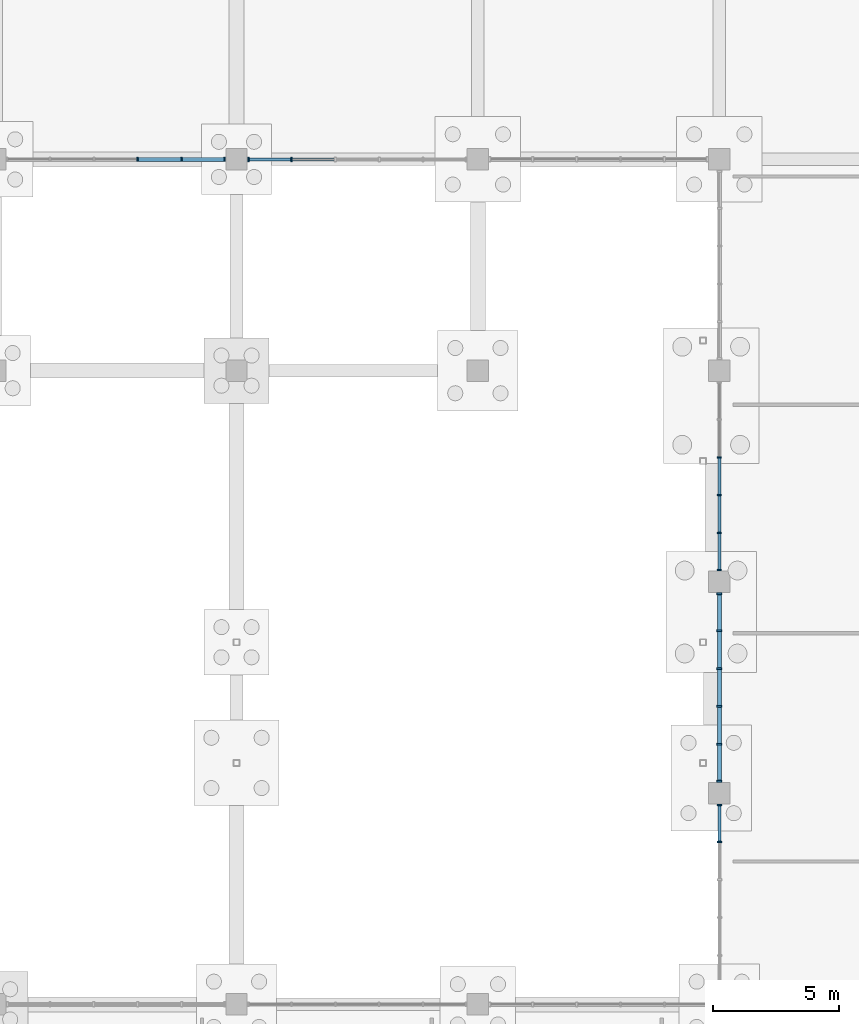
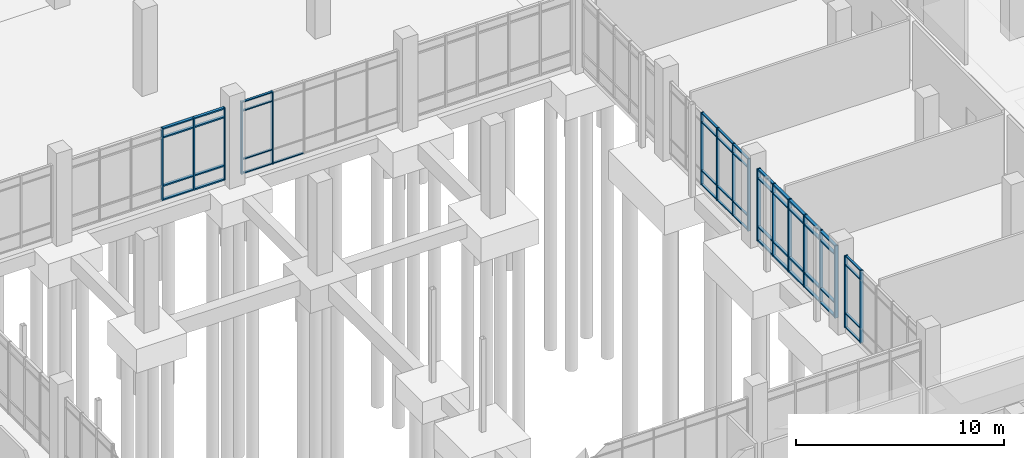
# One storey, part 54 of 136: 66 members, 5 elements without a shape of their own.
"""IFC4 building model written with IfcOpenShell, lengths in metres."""

from ifc_helpers import new_model, si_unit, direction, frame, origin, origin_2d, place, context, subcontext, project, spatial, rectangle, extrude, material, material_profile, profile_set, type_object, element, aggregate, save


model = new_model("IFC4")

# Units and contexts
model_context = context("Model", 3, precision=1e-05, world=origin(), true_north=direction((0.0, 1.0)))
body_context = subcontext(model_context, "Body", "Model", "MODEL_VIEW")
ifc_project = project(units=[si_unit("LENGTHUNIT", "METRE"), si_unit("AREAUNIT", "SQUARE_METRE"), si_unit("VOLUMEUNIT", "CUBIC_METRE"), si_unit("PLANEANGLEUNIT", "RADIAN"), si_unit("MASSUNIT", "GRAM", prefix="KILO")], contexts=[model_context])

# Site, building, storey
site_placement = place(None, origin())
site = spatial("IfcSite", under=ifc_project, at=site_placement, CompositionType="ELEMENT")
building_placement = place(site_placement, origin())
building = spatial("IfcBuilding", under=site, at=building_placement, Name="Oolite Switchyard Hospital", CompositionType="ELEMENT")
storey_placement = place(building_placement, origin())
storey = spatial("IfcBuildingStorey", under=building, at=storey_placement, Name="L00", CompositionType="ELEMENT", Elevation=0.0)

# Curtain wall, members
ifc_material_1 = material(Name="Thermally broken aluminum frame with laminated impact glazing", Category="aluminium")
curtain_wall_type_1 = type_object("IfcCurtainWallType", Name="CW-UNIT-96X51", PredefinedType="USERDEFINED", material=ifc_material_1)
curtain_wall_1_placement = place(storey_placement, origin())
curtain_wall_1 = element("IfcCurtainWall", 1, at=curtain_wall_1_placement, inside=storey, type_object=curtain_wall_type_1, Name="L00 Unitised Curtain Wall 21", ObjectType="UNITISED", PredefinedType="USERDEFINED")
ifc_material_2 = material(Name="Aluminium 6063-T6", Category="aluminium")
ifc_material_profile_1 = material_profile(ifc_material_2, rectangle(XDim=0.159912109375, YDim=0.06005859375, at=origin_2d()), Name="CWM60X160")
ifc_profile_set_1 = profile_set([ifc_material_profile_1], Name="Aluminium 6063-T6")
member_type_1 = type_object("IfcMemberType", Name="CW-MUL-180", PredefinedType="MULLION", material=ifc_profile_set_1)
member_1_placement = place(storey_placement, frame((162.72998046875, 58.800048828125, 0.0), z_axis=(0.0, 0.0, 1.0), x_axis=(0.0, -1.0, 0.0)))
member_1 = element("IfcMember", 2, at=member_1_placement, type_object=member_type_1, Name="CW-01 mullion 1", PredefinedType="MULLION", context=body_context, shape_type="SweptSolid", body=[
    extrude(rectangle(XDim=0.159912109375, YDim=0.06005859375, at=origin_2d()), origin(), (0.0, 0.0, 1.0), 4.239990234375),
])
member_2_placement = place(storey_placement, frame((161.01611328125, 58.800048828125, 0.0), z_axis=(0.0, 0.0, 1.0), x_axis=(0.0, -1.0, 0.0)))
member_2 = element("IfcMember", 3, at=member_2_placement, type_object=member_type_1, Name="CW-01 mullion 2", PredefinedType="MULLION", context=body_context, shape_type="SweptSolid", body=[
    extrude(rectangle(XDim=0.159912109375, YDim=0.06005859375, at=origin_2d()), origin(), (0.0, 0.0, 1.0), 4.239990234375),
])
member_3_placement = place(storey_placement, frame((159.27197265625, 58.800048828125, 0.0), z_axis=(0.0, 0.0, 1.0), x_axis=(0.0, -1.0, 0.0)))
member_3 = element("IfcMember", 4, at=member_3_placement, type_object=member_type_1, Name="CW-01 mullion 3", PredefinedType="MULLION", context=body_context, shape_type="SweptSolid", body=[
    extrude(rectangle(XDim=0.159912109375, YDim=0.06005859375, at=origin_2d()), origin(), (0.0, 0.0, 1.0), 4.239990234375),
])

curtain_wall_type_2 = type_object("IfcCurtainWallType", Name="CW-UNIT-84X51", PredefinedType="USERDEFINED", material=ifc_material_1)
curtain_wall_2_placement = place(storey_placement, origin())
curtain_wall_2 = element("IfcCurtainWall", 5, at=curtain_wall_2_placement, inside=storey, type_object=curtain_wall_type_2, Name="L00 Unitised Curtain Wall 84", ObjectType="UNITISED", PredefinedType="USERDEFINED")
member_4_placement = place(storey_placement, frame((182.39990234375, 42.469970703125, 0.0), z_axis=(0.0, 0.0, 1.0), x_axis=(-1.0, 0.0, 0.0)))
member_4 = element("IfcMember", 6, at=member_4_placement, type_object=member_type_1, Name="CW-06 mullion 1", PredefinedType="MULLION", context=body_context, shape_type="SweptSolid", body=[
    extrude(rectangle(XDim=0.159912109375, YDim=0.06005859375, at=origin_2d()), origin(), (0.0, 0.0, 1.0), 4.239990234375),
])
member_5_placement = place(storey_placement, frame((182.39990234375, 43.944091796875, 0.0), z_axis=(0.0, 0.0, 1.0), x_axis=(-1.0, 0.0, 0.0)))
member_5 = element("IfcMember", 7, at=member_5_placement, type_object=member_type_1, Name="CW-06 mullion 2", PredefinedType="MULLION", context=body_context, shape_type="SweptSolid", body=[
    extrude(rectangle(XDim=0.159912109375, YDim=0.06005859375, at=origin_2d()), origin(), (0.0, 0.0, 1.0), 4.239990234375),
])
member_6_placement = place(storey_placement, frame((182.39990234375, 45.447998046875, 0.0), z_axis=(0.0, 0.0, 1.0), x_axis=(-1.0, 0.0, 0.0)))
member_6 = element("IfcMember", 8, at=member_6_placement, type_object=member_type_1, Name="CW-06 mullion 3", PredefinedType="MULLION", context=body_context, shape_type="SweptSolid", body=[
    extrude(rectangle(XDim=0.159912109375, YDim=0.06005859375, at=origin_2d()), origin(), (0.0, 0.0, 1.0), 4.239990234375),
])
member_7_placement = place(storey_placement, frame((182.39990234375, 46.951904296875, 0.0), z_axis=(0.0, 0.0, 1.0), x_axis=(-1.0, 0.0, 0.0)))
member_7 = element("IfcMember", 9, at=member_7_placement, type_object=member_type_1, Name="CW-06 mullion 4", PredefinedType="MULLION", context=body_context, shape_type="SweptSolid", body=[
    extrude(rectangle(XDim=0.159912109375, YDim=0.06005859375, at=origin_2d()), origin(), (0.0, 0.0, 1.0), 4.239990234375),
])

curtain_wall_3_placement = place(storey_placement, origin())
curtain_wall_3 = element("IfcCurtainWall", 10, at=curtain_wall_3_placement, inside=storey, type_object=curtain_wall_type_1, Name="L00 Unitised Curtain Wall 22", ObjectType="UNITISED", PredefinedType="USERDEFINED")
ifc_material_profile_2 = material_profile(ifc_material_2, rectangle(XDim=0.179931640625, YDim=0.070068359375, at=origin_2d()), Name="CWM70X180")
ifc_profile_set_2 = profile_set([ifc_material_profile_2], Name="Aluminium 6063-T6")
member_type_2 = type_object("IfcMemberType", Name="CW-MUL-220", PredefinedType="MULLION", material=ifc_profile_set_2)
member_8_placement = place(storey_placement, frame((165.384033203125, 58.800048828125, 0.0), z_axis=(0.0, 0.0, 1.0), x_axis=(0.0, -1.0, 0.0)))
member_8 = element("IfcMember", 11, at=member_8_placement, type_object=member_type_2, Name="CW-01 mullion 5", PredefinedType="MULLION", context=body_context, shape_type="SweptSolid", body=[
    extrude(rectangle(XDim=0.179931640625, YDim=0.070068359375, at=origin_2d()), origin(), (0.0, 0.0, 1.0), 4.239990234375),
])
member_9_placement = place(storey_placement, frame((163.675048828125, 58.800048828125, 0.0), z_axis=(0.0, 0.0, 1.0), x_axis=(0.0, -1.0, 0.0)))
member_9 = element("IfcMember", 12, at=member_9_placement, type_object=member_type_2, Name="CW-01 mullion 6", PredefinedType="MULLION", context=body_context, shape_type="SweptSolid", body=[
    extrude(rectangle(XDim=0.179931640625, YDim=0.070068359375, at=origin_2d()), origin(), (0.0, 0.0, 1.0), 4.239990234375),
])

curtain_wall_4_placement = place(storey_placement, origin())
curtain_wall_4 = element("IfcCurtainWall", 13, at=curtain_wall_4_placement, inside=storey, type_object=curtain_wall_type_2, Name="L00 Unitised Curtain Wall 82", ObjectType="UNITISED", PredefinedType="USERDEFINED")
member_10_placement = place(storey_placement, frame((182.39990234375, 31.656005859375, 0.0), z_axis=(0.0, 0.0, 1.0), x_axis=(-1.0, 0.0, 0.0)))
member_10 = element("IfcMember", 14, at=member_10_placement, type_object=member_type_2, Name="CW-06 mullion 5", PredefinedType="MULLION", context=body_context, shape_type="SweptSolid", body=[
    extrude(rectangle(XDim=0.179931640625, YDim=0.070068359375, at=origin_2d()), origin(), (0.0, 0.0, 1.0), 4.239990234375),
])
member_11_placement = place(storey_placement, frame((182.39990234375, 33.125, 0.0), z_axis=(0.0, 0.0, 1.0), x_axis=(-1.0, 0.0, 0.0)))
member_11 = element("IfcMember", 15, at=member_11_placement, type_object=member_type_2, Name="CW-06 mullion 6", PredefinedType="MULLION", context=body_context, shape_type="SweptSolid", body=[
    extrude(rectangle(XDim=0.179931640625, YDim=0.070068359375, at=origin_2d()), origin(), (0.0, 0.0, 1.0), 4.239990234375),
])

curtain_wall_5_placement = place(storey_placement, origin())
curtain_wall_5 = element("IfcCurtainWall", 16, at=curtain_wall_5_placement, inside=storey, type_object=curtain_wall_type_2, Name="L00 Unitised Curtain Wall 83", ObjectType="UNITISED", PredefinedType="USERDEFINED")
ifc_material_profile_3 = material_profile(ifc_material_2, rectangle(XDim=0.199951171875, YDim=0.074951171875, at=origin_2d()), Name="CWM75X200")
ifc_profile_set_3 = profile_set([ifc_material_profile_3], Name="Aluminium 6063-T6")
member_type_3 = type_object("IfcMemberType", Name="CW-MUL-260", PredefinedType="MULLION", material=ifc_profile_set_3)
member_12_placement = place(storey_placement, frame((182.39990234375, 34.077392578125, 0.0), z_axis=(0.0, 0.0, 1.0), x_axis=(-1.0, 0.0, 0.0)))
member_12 = element("IfcMember", 17, at=member_12_placement, type_object=member_type_3, Name="CW-06 mullion 1", PredefinedType="MULLION", context=body_context, shape_type="SweptSolid", body=[
    extrude(rectangle(XDim=0.199951171875, YDim=0.074951171875, at=origin_2d()), origin(), (0.0, 0.0, 1.0), 4.239990234375),
])
member_13_placement = place(storey_placement, frame((182.39990234375, 35.5439453125, 0.0), z_axis=(0.0, 0.0, 1.0), x_axis=(-1.0, 0.0, 0.0)))
member_13 = element("IfcMember", 18, at=member_13_placement, type_object=member_type_3, Name="CW-06 mullion 2", PredefinedType="MULLION", context=body_context, shape_type="SweptSolid", body=[
    extrude(rectangle(XDim=0.199951171875, YDim=0.074951171875, at=origin_2d()), origin(), (0.0, 0.0, 1.0), 4.239990234375),
])
member_14_placement = place(storey_placement, frame((182.39990234375, 37.048095703125, 0.0), z_axis=(0.0, 0.0, 1.0), x_axis=(-1.0, 0.0, 0.0)))
member_14 = element("IfcMember", 19, at=member_14_placement, type_object=member_type_3, Name="CW-06 mullion 3", PredefinedType="MULLION", context=body_context, shape_type="SweptSolid", body=[
    extrude(rectangle(XDim=0.199951171875, YDim=0.074951171875, at=origin_2d()), origin(), (0.0, 0.0, 1.0), 4.239990234375),
])
member_15_placement = place(storey_placement, frame((182.39990234375, 38.552001953125, 0.0), z_axis=(0.0, 0.0, 1.0), x_axis=(-1.0, 0.0, 0.0)))
member_15 = element("IfcMember", 20, at=member_15_placement, type_object=member_type_3, Name="CW-06 mullion 4", PredefinedType="MULLION", context=body_context, shape_type="SweptSolid", body=[
    extrude(rectangle(XDim=0.199951171875, YDim=0.074951171875, at=origin_2d()), origin(), (0.0, 0.0, 1.0), 4.239990234375),
])
member_16_placement = place(storey_placement, frame((182.39990234375, 40.055908203125, 0.0), z_axis=(0.0, 0.0, 1.0), x_axis=(-1.0, 0.0, 0.0)))
member_16 = element("IfcMember", 21, at=member_16_placement, type_object=member_type_3, Name="CW-06 mullion 5", PredefinedType="MULLION", context=body_context, shape_type="SweptSolid", body=[
    extrude(rectangle(XDim=0.199951171875, YDim=0.074951171875, at=origin_2d()), origin(), (0.0, 0.0, 1.0), 4.239990234375),
])
member_17_placement = place(storey_placement, frame((182.39990234375, 41.5224609375, 0.0), z_axis=(0.0, 0.0, 1.0), x_axis=(-1.0, 0.0, 0.0)))
member_17 = element("IfcMember", 22, at=member_17_placement, type_object=member_type_3, Name="CW-06 mullion 6", PredefinedType="MULLION", context=body_context, shape_type="SweptSolid", body=[
    extrude(rectangle(XDim=0.199951171875, YDim=0.074951171875, at=origin_2d()), origin(), (0.0, 0.0, 1.0), 4.239990234375),
])

# Member
ifc_material_profile_4 = material_profile(ifc_material_2, rectangle(XDim=0.1201171875, YDim=0.06005859375, at=origin_2d()), Name="CWT60X120")
ifc_profile_set_4 = profile_set([ifc_material_profile_4], Name="Aluminium 6063-T6")
member_type_4 = type_object("IfcMemberType", Name="CW-TRN-150", PredefinedType="USERDEFINED", material=ifc_profile_set_4)
member_18_placement = place(storey_placement, frame((167.093017578125, 58.800048828125, 0.030029296875), z_axis=(-1.0, 0.0, 0.0), x_axis=(0.0, -1.0, 0.0)))
member_18 = element("IfcMember", 23, at=member_18_placement, type_object=member_type_4, Name="CW-01 transom 4.1", ObjectType="TRANSOM", PredefinedType="USERDEFINED", context=body_context, shape_type="SweptSolid", body=[
    extrude(rectangle(XDim=0.1201171875, YDim=0.06005859375, at=origin_2d()), origin(), (0.0, 0.0, 1.0), 1.674072265625),
])

member_19_placement = place(storey_placement, frame((165.34912109375, 58.800048828125, 0.030029296875), z_axis=(-1.0, 0.0, 0.0), x_axis=(0.0, -1.0, 0.0)))
member_19 = element("IfcMember", 24, at=member_19_placement, type_object=member_type_4, Name="CW-01 transom 5.1", ObjectType="TRANSOM", PredefinedType="USERDEFINED", context=body_context, shape_type="SweptSolid", body=[
    extrude(rectangle(XDim=0.1201171875, YDim=0.06005859375, at=origin_2d()), origin(), (0.0, 0.0, 1.0), 1.63916015625),
])

member_20_placement = place(storey_placement, frame((165.34912109375, 58.800048828125, 0.85009765625), z_axis=(-1.0, 0.0, 0.0), x_axis=(0.0, -1.0, 0.0)))
member_20 = element("IfcMember", 25, at=member_20_placement, type_object=member_type_4, Name="CW-01 transom 5.2", ObjectType="TRANSOM", PredefinedType="USERDEFINED", context=body_context, shape_type="SweptSolid", body=[
    extrude(rectangle(XDim=0.1201171875, YDim=0.06005859375, at=origin_2d()), origin(), (0.0, 0.0, 1.0), 1.63916015625),
])

member_21_placement = place(storey_placement, frame((165.34912109375, 58.800048828125, 3.68994140625), z_axis=(-1.0, 0.0, 0.0), x_axis=(0.0, -1.0, 0.0)))
member_21 = element("IfcMember", 26, at=member_21_placement, type_object=member_type_4, Name="CW-01 transom 5.3", ObjectType="TRANSOM", PredefinedType="USERDEFINED", context=body_context, shape_type="SweptSolid", body=[
    extrude(rectangle(XDim=0.1201171875, YDim=0.06005859375, at=origin_2d()), origin(), (0.0, 0.0, 1.0), 1.63916015625),
])

member_22_placement = place(storey_placement, frame((165.34912109375, 58.800048828125, 4.2099609375), z_axis=(-1.0, 0.0, 0.0), x_axis=(0.0, -1.0, 0.0)))
member_22 = element("IfcMember", 27, at=member_22_placement, type_object=member_type_4, Name="CW-01 transom 5.4", ObjectType="TRANSOM", PredefinedType="USERDEFINED", context=body_context, shape_type="SweptSolid", body=[
    extrude(rectangle(XDim=0.1201171875, YDim=0.06005859375, at=origin_2d()), origin(), (0.0, 0.0, 1.0), 1.63916015625),
])

aggregate(curtain_wall_3, [member_8, member_9, member_18, member_19, member_20, member_21, member_22])

member_23_placement = place(storey_placement, frame((182.39990234375, 31.69091796875, 0.030029296875), z_axis=(0.0, 1.0, 0.0), x_axis=(-1.0, 0.0, 0.0)))
member_23 = element("IfcMember", 28, at=member_23_placement, type_object=member_type_4, Name="CW-06 transom 5.1", ObjectType="TRANSOM", PredefinedType="USERDEFINED", context=body_context, shape_type="SweptSolid", body=[
    extrude(rectangle(XDim=0.1201171875, YDim=0.06005859375, at=origin_2d()), origin(), (0.0, 0.0, 1.0), 1.399169921875),
])

member_24_placement = place(storey_placement, frame((182.39990234375, 31.69091796875, 0.85009765625), z_axis=(0.0, 1.0, 0.0), x_axis=(-1.0, 0.0, 0.0)))
member_24 = element("IfcMember", 29, at=member_24_placement, type_object=member_type_4, Name="CW-06 transom 5.2", ObjectType="TRANSOM", PredefinedType="USERDEFINED", context=body_context, shape_type="SweptSolid", body=[
    extrude(rectangle(XDim=0.1201171875, YDim=0.06005859375, at=origin_2d()), origin(), (0.0, 0.0, 1.0), 1.399169921875),
])

member_25_placement = place(storey_placement, frame((182.39990234375, 31.69091796875, 3.68994140625), z_axis=(0.0, 1.0, 0.0), x_axis=(-1.0, 0.0, 0.0)))
member_25 = element("IfcMember", 30, at=member_25_placement, type_object=member_type_4, Name="CW-06 transom 5.3", ObjectType="TRANSOM", PredefinedType="USERDEFINED", context=body_context, shape_type="SweptSolid", body=[
    extrude(rectangle(XDim=0.1201171875, YDim=0.06005859375, at=origin_2d()), origin(), (0.0, 0.0, 1.0), 1.399169921875),
])

member_26_placement = place(storey_placement, frame((182.39990234375, 31.69091796875, 4.2099609375), z_axis=(0.0, 1.0, 0.0), x_axis=(-1.0, 0.0, 0.0)))
member_26 = element("IfcMember", 31, at=member_26_placement, type_object=member_type_4, Name="CW-06 transom 5.4", ObjectType="TRANSOM", PredefinedType="USERDEFINED", context=body_context, shape_type="SweptSolid", body=[
    extrude(rectangle(XDim=0.1201171875, YDim=0.06005859375, at=origin_2d()), origin(), (0.0, 0.0, 1.0), 1.399169921875),
])

aggregate(curtain_wall_4, [member_10, member_11, member_23, member_24, member_25, member_26])

member_27_placement = place(storey_placement, frame((182.39990234375, 42.5, 0.030029296875), z_axis=(0.0, 1.0, 0.0), x_axis=(-1.0, 0.0, 0.0)))
member_27 = element("IfcMember", 32, at=member_27_placement, type_object=member_type_4, Name="CW-06 transom 1.1", ObjectType="TRANSOM", PredefinedType="USERDEFINED", context=body_context, shape_type="SweptSolid", body=[
    extrude(rectangle(XDim=0.1201171875, YDim=0.06005859375, at=origin_2d()), origin(), (0.0, 0.0, 1.0), 1.4140625),
])

member_28_placement = place(storey_placement, frame((182.39990234375, 42.5, 0.85009765625), z_axis=(0.0, 1.0, 0.0), x_axis=(-1.0, 0.0, 0.0)))
member_28 = element("IfcMember", 33, at=member_28_placement, type_object=member_type_4, Name="CW-06 transom 1.2", ObjectType="TRANSOM", PredefinedType="USERDEFINED", context=body_context, shape_type="SweptSolid", body=[
    extrude(rectangle(XDim=0.1201171875, YDim=0.06005859375, at=origin_2d()), origin(), (0.0, 0.0, 1.0), 1.4140625),
])

member_29_placement = place(storey_placement, frame((182.39990234375, 42.5, 3.68994140625), z_axis=(0.0, 1.0, 0.0), x_axis=(-1.0, 0.0, 0.0)))
member_29 = element("IfcMember", 34, at=member_29_placement, type_object=member_type_4, Name="CW-06 transom 1.3", ObjectType="TRANSOM", PredefinedType="USERDEFINED", context=body_context, shape_type="SweptSolid", body=[
    extrude(rectangle(XDim=0.1201171875, YDim=0.06005859375, at=origin_2d()), origin(), (0.0, 0.0, 1.0), 1.4140625),
])

member_30_placement = place(storey_placement, frame((182.39990234375, 42.5, 4.2099609375), z_axis=(0.0, 1.0, 0.0), x_axis=(-1.0, 0.0, 0.0)))
member_30 = element("IfcMember", 35, at=member_30_placement, type_object=member_type_4, Name="CW-06 transom 1.4", ObjectType="TRANSOM", PredefinedType="USERDEFINED", context=body_context, shape_type="SweptSolid", body=[
    extrude(rectangle(XDim=0.1201171875, YDim=0.06005859375, at=origin_2d()), origin(), (0.0, 0.0, 1.0), 1.4140625),
])

member_31_placement = place(storey_placement, frame((182.39990234375, 43.97412109375, 0.030029296875), z_axis=(0.0, 1.0, 0.0), x_axis=(-1.0, 0.0, 0.0)))
member_31 = element("IfcMember", 36, at=member_31_placement, type_object=member_type_4, Name="CW-06 transom 2.1", ObjectType="TRANSOM", PredefinedType="USERDEFINED", context=body_context, shape_type="SweptSolid", body=[
    extrude(rectangle(XDim=0.1201171875, YDim=0.06005859375, at=origin_2d()), origin(), (0.0, 0.0, 1.0), 1.44384765625),
])

member_32_placement = place(storey_placement, frame((182.39990234375, 43.97412109375, 0.85009765625), z_axis=(0.0, 1.0, 0.0), x_axis=(-1.0, 0.0, 0.0)))
member_32 = element("IfcMember", 37, at=member_32_placement, type_object=member_type_4, Name="CW-06 transom 2.2", ObjectType="TRANSOM", PredefinedType="USERDEFINED", context=body_context, shape_type="SweptSolid", body=[
    extrude(rectangle(XDim=0.1201171875, YDim=0.06005859375, at=origin_2d()), origin(), (0.0, 0.0, 1.0), 1.44384765625),
])

member_33_placement = place(storey_placement, frame((182.39990234375, 43.97412109375, 3.68994140625), z_axis=(0.0, 1.0, 0.0), x_axis=(-1.0, 0.0, 0.0)))
member_33 = element("IfcMember", 38, at=member_33_placement, type_object=member_type_4, Name="CW-06 transom 2.3", ObjectType="TRANSOM", PredefinedType="USERDEFINED", context=body_context, shape_type="SweptSolid", body=[
    extrude(rectangle(XDim=0.1201171875, YDim=0.06005859375, at=origin_2d()), origin(), (0.0, 0.0, 1.0), 1.44384765625),
])

member_34_placement = place(storey_placement, frame((182.39990234375, 43.97412109375, 4.2099609375), z_axis=(0.0, 1.0, 0.0), x_axis=(-1.0, 0.0, 0.0)))
member_34 = element("IfcMember", 39, at=member_34_placement, type_object=member_type_4, Name="CW-06 transom 2.4", ObjectType="TRANSOM", PredefinedType="USERDEFINED", context=body_context, shape_type="SweptSolid", body=[
    extrude(rectangle(XDim=0.1201171875, YDim=0.06005859375, at=origin_2d()), origin(), (0.0, 0.0, 1.0), 1.44384765625),
])

member_35_placement = place(storey_placement, frame((182.39990234375, 45.47802734375, 0.030029296875), z_axis=(0.0, 1.0, 0.0), x_axis=(-1.0, 0.0, 0.0)))
member_35 = element("IfcMember", 40, at=member_35_placement, type_object=member_type_4, Name="CW-06 transom 3.1", ObjectType="TRANSOM", PredefinedType="USERDEFINED", context=body_context, shape_type="SweptSolid", body=[
    extrude(rectangle(XDim=0.1201171875, YDim=0.06005859375, at=origin_2d()), origin(), (0.0, 0.0, 1.0), 1.444091796875),
])

member_36_placement = place(storey_placement, frame((182.39990234375, 45.47802734375, 0.85009765625), z_axis=(0.0, 1.0, 0.0), x_axis=(-1.0, 0.0, 0.0)))
member_36 = element("IfcMember", 41, at=member_36_placement, type_object=member_type_4, Name="CW-06 transom 3.2", ObjectType="TRANSOM", PredefinedType="USERDEFINED", context=body_context, shape_type="SweptSolid", body=[
    extrude(rectangle(XDim=0.1201171875, YDim=0.06005859375, at=origin_2d()), origin(), (0.0, 0.0, 1.0), 1.444091796875),
])

member_37_placement = place(storey_placement, frame((182.39990234375, 45.47802734375, 3.68994140625), z_axis=(0.0, 1.0, 0.0), x_axis=(-1.0, 0.0, 0.0)))
member_37 = element("IfcMember", 42, at=member_37_placement, type_object=member_type_4, Name="CW-06 transom 3.3", ObjectType="TRANSOM", PredefinedType="USERDEFINED", context=body_context, shape_type="SweptSolid", body=[
    extrude(rectangle(XDim=0.1201171875, YDim=0.06005859375, at=origin_2d()), origin(), (0.0, 0.0, 1.0), 1.444091796875),
])

member_38_placement = place(storey_placement, frame((182.39990234375, 45.47802734375, 4.2099609375), z_axis=(0.0, 1.0, 0.0), x_axis=(-1.0, 0.0, 0.0)))
member_38 = element("IfcMember", 43, at=member_38_placement, type_object=member_type_4, Name="CW-06 transom 3.4", ObjectType="TRANSOM", PredefinedType="USERDEFINED", context=body_context, shape_type="SweptSolid", body=[
    extrude(rectangle(XDim=0.1201171875, YDim=0.06005859375, at=origin_2d()), origin(), (0.0, 0.0, 1.0), 1.444091796875),
])

aggregate(curtain_wall_2, [member_4, member_5, member_6, member_7, member_27, member_28, member_29, member_30, member_31, member_32, member_33, member_34, member_35, member_36, member_37, member_38])

ifc_material_profile_5 = material_profile(ifc_material_2, rectangle(XDim=0.159912109375, YDim=0.074951171875, at=origin_2d()), Name="CWT75X160")
ifc_profile_set_5 = profile_set([ifc_material_profile_5], Name="Aluminium 6063-T6")
member_type_5 = type_object("IfcMemberType", Name="CW-TRN-180", PredefinedType="USERDEFINED", material=ifc_profile_set_5)
member_39_placement = place(storey_placement, frame((162.699951171875, 58.800048828125, 0.03759765625), z_axis=(-1.0, 0.0, 0.0), x_axis=(0.0, -1.0, 0.0)))
member_39 = element("IfcMember", 44, at=member_39_placement, type_object=member_type_5, Name="CW-01 transom 1.1", ObjectType="TRANSOM", PredefinedType="USERDEFINED", context=body_context, shape_type="SweptSolid", body=[
    extrude(rectangle(XDim=0.159912109375, YDim=0.074951171875, at=origin_2d()), origin(), (0.0, 0.0, 1.0), 1.654052734375),
])

member_40_placement = place(storey_placement, frame((162.699951171875, 58.800048828125, 0.85009765625), z_axis=(-1.0, 0.0, 0.0), x_axis=(0.0, -1.0, 0.0)))
member_40 = element("IfcMember", 45, at=member_40_placement, type_object=member_type_5, Name="CW-01 transom 1.2", ObjectType="TRANSOM", PredefinedType="USERDEFINED", context=body_context, shape_type="SweptSolid", body=[
    extrude(rectangle(XDim=0.159912109375, YDim=0.074951171875, at=origin_2d()), origin(), (0.0, 0.0, 1.0), 1.654052734375),
])

member_41_placement = place(storey_placement, frame((162.699951171875, 58.800048828125, 3.68994140625), z_axis=(-1.0, 0.0, 0.0), x_axis=(0.0, -1.0, 0.0)))
member_41 = element("IfcMember", 46, at=member_41_placement, type_object=member_type_5, Name="CW-01 transom 1.3", ObjectType="TRANSOM", PredefinedType="USERDEFINED", context=body_context, shape_type="SweptSolid", body=[
    extrude(rectangle(XDim=0.159912109375, YDim=0.074951171875, at=origin_2d()), origin(), (0.0, 0.0, 1.0), 1.654052734375),
])

member_42_placement = place(storey_placement, frame((162.699951171875, 58.800048828125, 4.202392578125), z_axis=(-1.0, 0.0, 0.0), x_axis=(0.0, -1.0, 0.0)))
member_42 = element("IfcMember", 47, at=member_42_placement, type_object=member_type_5, Name="CW-01 transom 1.4", ObjectType="TRANSOM", PredefinedType="USERDEFINED", context=body_context, shape_type="SweptSolid", body=[
    extrude(rectangle(XDim=0.159912109375, YDim=0.074951171875, at=origin_2d()), origin(), (0.0, 0.0, 1.0), 1.654052734375),
])

member_43_placement = place(storey_placement, frame((160.986083984375, 58.800048828125, 0.03759765625), z_axis=(-1.0, 0.0, 0.0), x_axis=(0.0, -1.0, 0.0)))
member_43 = element("IfcMember", 48, at=member_43_placement, type_object=member_type_5, Name="CW-01 transom 2.1", ObjectType="TRANSOM", PredefinedType="USERDEFINED", context=body_context, shape_type="SweptSolid", body=[
    extrude(rectangle(XDim=0.159912109375, YDim=0.074951171875, at=origin_2d()), origin(), (0.0, 0.0, 1.0), 1.68408203125),
])

member_44_placement = place(storey_placement, frame((160.986083984375, 58.800048828125, 0.85009765625), z_axis=(-1.0, 0.0, 0.0), x_axis=(0.0, -1.0, 0.0)))
member_44 = element("IfcMember", 49, at=member_44_placement, type_object=member_type_5, Name="CW-01 transom 2.2", ObjectType="TRANSOM", PredefinedType="USERDEFINED", context=body_context, shape_type="SweptSolid", body=[
    extrude(rectangle(XDim=0.159912109375, YDim=0.074951171875, at=origin_2d()), origin(), (0.0, 0.0, 1.0), 1.68408203125),
])

member_45_placement = place(storey_placement, frame((160.986083984375, 58.800048828125, 3.68994140625), z_axis=(-1.0, 0.0, 0.0), x_axis=(0.0, -1.0, 0.0)))
member_45 = element("IfcMember", 50, at=member_45_placement, type_object=member_type_5, Name="CW-01 transom 2.3", ObjectType="TRANSOM", PredefinedType="USERDEFINED", context=body_context, shape_type="SweptSolid", body=[
    extrude(rectangle(XDim=0.159912109375, YDim=0.074951171875, at=origin_2d()), origin(), (0.0, 0.0, 1.0), 1.68408203125),
])

member_46_placement = place(storey_placement, frame((160.986083984375, 58.800048828125, 4.202392578125), z_axis=(-1.0, 0.0, 0.0), x_axis=(0.0, -1.0, 0.0)))
member_46 = element("IfcMember", 51, at=member_46_placement, type_object=member_type_5, Name="CW-01 transom 2.4", ObjectType="TRANSOM", PredefinedType="USERDEFINED", context=body_context, shape_type="SweptSolid", body=[
    extrude(rectangle(XDim=0.159912109375, YDim=0.074951171875, at=origin_2d()), origin(), (0.0, 0.0, 1.0), 1.68408203125),
])

aggregate(curtain_wall_1, [member_1, member_2, member_3, member_39, member_40, member_41, member_42, member_43, member_44, member_45, member_46])

member_47_placement = place(storey_placement, frame((182.39990234375, 34.114990234375, 0.03759765625), z_axis=(0.0, 1.0, 0.0), x_axis=(-1.0, 0.0, 0.0)))
member_47 = element("IfcMember", 52, at=member_47_placement, type_object=member_type_5, Name="CW-06 transom 1.1", ObjectType="TRANSOM", PredefinedType="USERDEFINED", context=body_context, shape_type="SweptSolid", body=[
    extrude(rectangle(XDim=0.159912109375, YDim=0.074951171875, at=origin_2d()), origin(), (0.0, 0.0, 1.0), 1.3916015625),
])

member_48_placement = place(storey_placement, frame((182.39990234375, 34.114990234375, 0.85009765625), z_axis=(0.0, 1.0, 0.0), x_axis=(-1.0, 0.0, 0.0)))
member_48 = element("IfcMember", 53, at=member_48_placement, type_object=member_type_5, Name="CW-06 transom 1.2", ObjectType="TRANSOM", PredefinedType="USERDEFINED", context=body_context, shape_type="SweptSolid", body=[
    extrude(rectangle(XDim=0.159912109375, YDim=0.074951171875, at=origin_2d()), origin(), (0.0, 0.0, 1.0), 1.3916015625),
])

member_49_placement = place(storey_placement, frame((182.39990234375, 34.114990234375, 3.68994140625), z_axis=(0.0, 1.0, 0.0), x_axis=(-1.0, 0.0, 0.0)))
member_49 = element("IfcMember", 54, at=member_49_placement, type_object=member_type_5, Name="CW-06 transom 1.3", ObjectType="TRANSOM", PredefinedType="USERDEFINED", context=body_context, shape_type="SweptSolid", body=[
    extrude(rectangle(XDim=0.159912109375, YDim=0.074951171875, at=origin_2d()), origin(), (0.0, 0.0, 1.0), 1.3916015625),
])

member_50_placement = place(storey_placement, frame((182.39990234375, 34.114990234375, 4.202392578125), z_axis=(0.0, 1.0, 0.0), x_axis=(-1.0, 0.0, 0.0)))
member_50 = element("IfcMember", 55, at=member_50_placement, type_object=member_type_5, Name="CW-06 transom 1.4", ObjectType="TRANSOM", PredefinedType="USERDEFINED", context=body_context, shape_type="SweptSolid", body=[
    extrude(rectangle(XDim=0.159912109375, YDim=0.074951171875, at=origin_2d()), origin(), (0.0, 0.0, 1.0), 1.3916015625),
])

member_51_placement = place(storey_placement, frame((182.39990234375, 35.58154296875, 0.03759765625), z_axis=(0.0, 1.0, 0.0), x_axis=(-1.0, 0.0, 0.0)))
member_51 = element("IfcMember", 56, at=member_51_placement, type_object=member_type_5, Name="CW-06 transom 2.1", ObjectType="TRANSOM", PredefinedType="USERDEFINED", context=body_context, shape_type="SweptSolid", body=[
    extrude(rectangle(XDim=0.159912109375, YDim=0.074951171875, at=origin_2d()), origin(), (0.0, 0.0, 1.0), 1.428955078125),
])

member_52_placement = place(storey_placement, frame((182.39990234375, 35.58154296875, 0.85009765625), z_axis=(0.0, 1.0, 0.0), x_axis=(-1.0, 0.0, 0.0)))
member_52 = element("IfcMember", 57, at=member_52_placement, type_object=member_type_5, Name="CW-06 transom 2.2", ObjectType="TRANSOM", PredefinedType="USERDEFINED", context=body_context, shape_type="SweptSolid", body=[
    extrude(rectangle(XDim=0.159912109375, YDim=0.074951171875, at=origin_2d()), origin(), (0.0, 0.0, 1.0), 1.428955078125),
])

member_53_placement = place(storey_placement, frame((182.39990234375, 35.58154296875, 3.68994140625), z_axis=(0.0, 1.0, 0.0), x_axis=(-1.0, 0.0, 0.0)))
member_53 = element("IfcMember", 58, at=member_53_placement, type_object=member_type_5, Name="CW-06 transom 2.3", ObjectType="TRANSOM", PredefinedType="USERDEFINED", context=body_context, shape_type="SweptSolid", body=[
    extrude(rectangle(XDim=0.159912109375, YDim=0.074951171875, at=origin_2d()), origin(), (0.0, 0.0, 1.0), 1.428955078125),
])

member_54_placement = place(storey_placement, frame((182.39990234375, 35.58154296875, 4.202392578125), z_axis=(0.0, 1.0, 0.0), x_axis=(-1.0, 0.0, 0.0)))
member_54 = element("IfcMember", 59, at=member_54_placement, type_object=member_type_5, Name="CW-06 transom 2.4", ObjectType="TRANSOM", PredefinedType="USERDEFINED", context=body_context, shape_type="SweptSolid", body=[
    extrude(rectangle(XDim=0.159912109375, YDim=0.074951171875, at=origin_2d()), origin(), (0.0, 0.0, 1.0), 1.428955078125),
])

member_55_placement = place(storey_placement, frame((182.39990234375, 37.08544921875, 0.03759765625), z_axis=(0.0, 1.0, 0.0), x_axis=(-1.0, 0.0, 0.0)))
member_55 = element("IfcMember", 60, at=member_55_placement, type_object=member_type_5, Name="CW-06 transom 3.1", ObjectType="TRANSOM", PredefinedType="USERDEFINED", context=body_context, shape_type="SweptSolid", body=[
    extrude(rectangle(XDim=0.159912109375, YDim=0.074951171875, at=origin_2d()), origin(), (0.0, 0.0, 1.0), 1.428955078125),
])

member_56_placement = place(storey_placement, frame((182.39990234375, 37.08544921875, 0.85009765625), z_axis=(0.0, 1.0, 0.0), x_axis=(-1.0, 0.0, 0.0)))
member_56 = element("IfcMember", 61, at=member_56_placement, type_object=member_type_5, Name="CW-06 transom 3.2", ObjectType="TRANSOM", PredefinedType="USERDEFINED", context=body_context, shape_type="SweptSolid", body=[
    extrude(rectangle(XDim=0.159912109375, YDim=0.074951171875, at=origin_2d()), origin(), (0.0, 0.0, 1.0), 1.428955078125),
])

member_57_placement = place(storey_placement, frame((182.39990234375, 37.08544921875, 3.68994140625), z_axis=(0.0, 1.0, 0.0), x_axis=(-1.0, 0.0, 0.0)))
member_57 = element("IfcMember", 62, at=member_57_placement, type_object=member_type_5, Name="CW-06 transom 3.3", ObjectType="TRANSOM", PredefinedType="USERDEFINED", context=body_context, shape_type="SweptSolid", body=[
    extrude(rectangle(XDim=0.159912109375, YDim=0.074951171875, at=origin_2d()), origin(), (0.0, 0.0, 1.0), 1.428955078125),
])

member_58_placement = place(storey_placement, frame((182.39990234375, 37.08544921875, 4.202392578125), z_axis=(0.0, 1.0, 0.0), x_axis=(-1.0, 0.0, 0.0)))
member_58 = element("IfcMember", 63, at=member_58_placement, type_object=member_type_5, Name="CW-06 transom 3.4", ObjectType="TRANSOM", PredefinedType="USERDEFINED", context=body_context, shape_type="SweptSolid", body=[
    extrude(rectangle(XDim=0.159912109375, YDim=0.074951171875, at=origin_2d()), origin(), (0.0, 0.0, 1.0), 1.428955078125),
])

member_59_placement = place(storey_placement, frame((182.39990234375, 38.589599609375, 0.03759765625), z_axis=(0.0, 1.0, 0.0), x_axis=(-1.0, 0.0, 0.0)))
member_59 = element("IfcMember", 64, at=member_59_placement, type_object=member_type_5, Name="CW-06 transom 4.1", ObjectType="TRANSOM", PredefinedType="USERDEFINED", context=body_context, shape_type="SweptSolid", body=[
    extrude(rectangle(XDim=0.159912109375, YDim=0.074951171875, at=origin_2d()), origin(), (0.0, 0.0, 1.0), 1.428955078125),
])

member_60_placement = place(storey_placement, frame((182.39990234375, 38.589599609375, 0.85009765625), z_axis=(0.0, 1.0, 0.0), x_axis=(-1.0, 0.0, 0.0)))
member_60 = element("IfcMember", 65, at=member_60_placement, type_object=member_type_5, Name="CW-06 transom 4.2", ObjectType="TRANSOM", PredefinedType="USERDEFINED", context=body_context, shape_type="SweptSolid", body=[
    extrude(rectangle(XDim=0.159912109375, YDim=0.074951171875, at=origin_2d()), origin(), (0.0, 0.0, 1.0), 1.428955078125),
])

member_61_placement = place(storey_placement, frame((182.39990234375, 38.589599609375, 3.68994140625), z_axis=(0.0, 1.0, 0.0), x_axis=(-1.0, 0.0, 0.0)))
member_61 = element("IfcMember", 66, at=member_61_placement, type_object=member_type_5, Name="CW-06 transom 4.3", ObjectType="TRANSOM", PredefinedType="USERDEFINED", context=body_context, shape_type="SweptSolid", body=[
    extrude(rectangle(XDim=0.159912109375, YDim=0.074951171875, at=origin_2d()), origin(), (0.0, 0.0, 1.0), 1.428955078125),
])

member_62_placement = place(storey_placement, frame((182.39990234375, 38.589599609375, 4.202392578125), z_axis=(0.0, 1.0, 0.0), x_axis=(-1.0, 0.0, 0.0)))
member_62 = element("IfcMember", 67, at=member_62_placement, type_object=member_type_5, Name="CW-06 transom 4.4", ObjectType="TRANSOM", PredefinedType="USERDEFINED", context=body_context, shape_type="SweptSolid", body=[
    extrude(rectangle(XDim=0.159912109375, YDim=0.074951171875, at=origin_2d()), origin(), (0.0, 0.0, 1.0), 1.428955078125),
])

member_63_placement = place(storey_placement, frame((182.39990234375, 40.093505859375, 0.03759765625), z_axis=(0.0, 1.0, 0.0), x_axis=(-1.0, 0.0, 0.0)))
member_63 = element("IfcMember", 68, at=member_63_placement, type_object=member_type_5, Name="CW-06 transom 5.1", ObjectType="TRANSOM", PredefinedType="USERDEFINED", context=body_context, shape_type="SweptSolid", body=[
    extrude(rectangle(XDim=0.159912109375, YDim=0.074951171875, at=origin_2d()), origin(), (0.0, 0.0, 1.0), 1.3916015625),
])

member_64_placement = place(storey_placement, frame((182.39990234375, 40.093505859375, 0.85009765625), z_axis=(0.0, 1.0, 0.0), x_axis=(-1.0, 0.0, 0.0)))
member_64 = element("IfcMember", 69, at=member_64_placement, type_object=member_type_5, Name="CW-06 transom 5.2", ObjectType="TRANSOM", PredefinedType="USERDEFINED", context=body_context, shape_type="SweptSolid", body=[
    extrude(rectangle(XDim=0.159912109375, YDim=0.074951171875, at=origin_2d()), origin(), (0.0, 0.0, 1.0), 1.3916015625),
])

member_65_placement = place(storey_placement, frame((182.39990234375, 40.093505859375, 3.68994140625), z_axis=(0.0, 1.0, 0.0), x_axis=(-1.0, 0.0, 0.0)))
member_65 = element("IfcMember", 70, at=member_65_placement, type_object=member_type_5, Name="CW-06 transom 5.3", ObjectType="TRANSOM", PredefinedType="USERDEFINED", context=body_context, shape_type="SweptSolid", body=[
    extrude(rectangle(XDim=0.159912109375, YDim=0.074951171875, at=origin_2d()), origin(), (0.0, 0.0, 1.0), 1.3916015625),
])

member_66_placement = place(storey_placement, frame((182.39990234375, 40.093505859375, 4.202392578125), z_axis=(0.0, 1.0, 0.0), x_axis=(-1.0, 0.0, 0.0)))
member_66 = element("IfcMember", 71, at=member_66_placement, type_object=member_type_5, Name="CW-06 transom 5.4", ObjectType="TRANSOM", PredefinedType="USERDEFINED", context=body_context, shape_type="SweptSolid", body=[
    extrude(rectangle(XDim=0.159912109375, YDim=0.074951171875, at=origin_2d()), origin(), (0.0, 0.0, 1.0), 1.3916015625),
])

aggregate(curtain_wall_5, [member_12, member_13, member_14, member_15, member_16, member_17, member_47, member_48, member_49, member_50, member_51, member_52, member_53, member_54, member_55, member_56, member_57, member_58, member_59, member_60, member_61, member_62, member_63, member_64, member_65, member_66])

save(model, "model.ifc")
